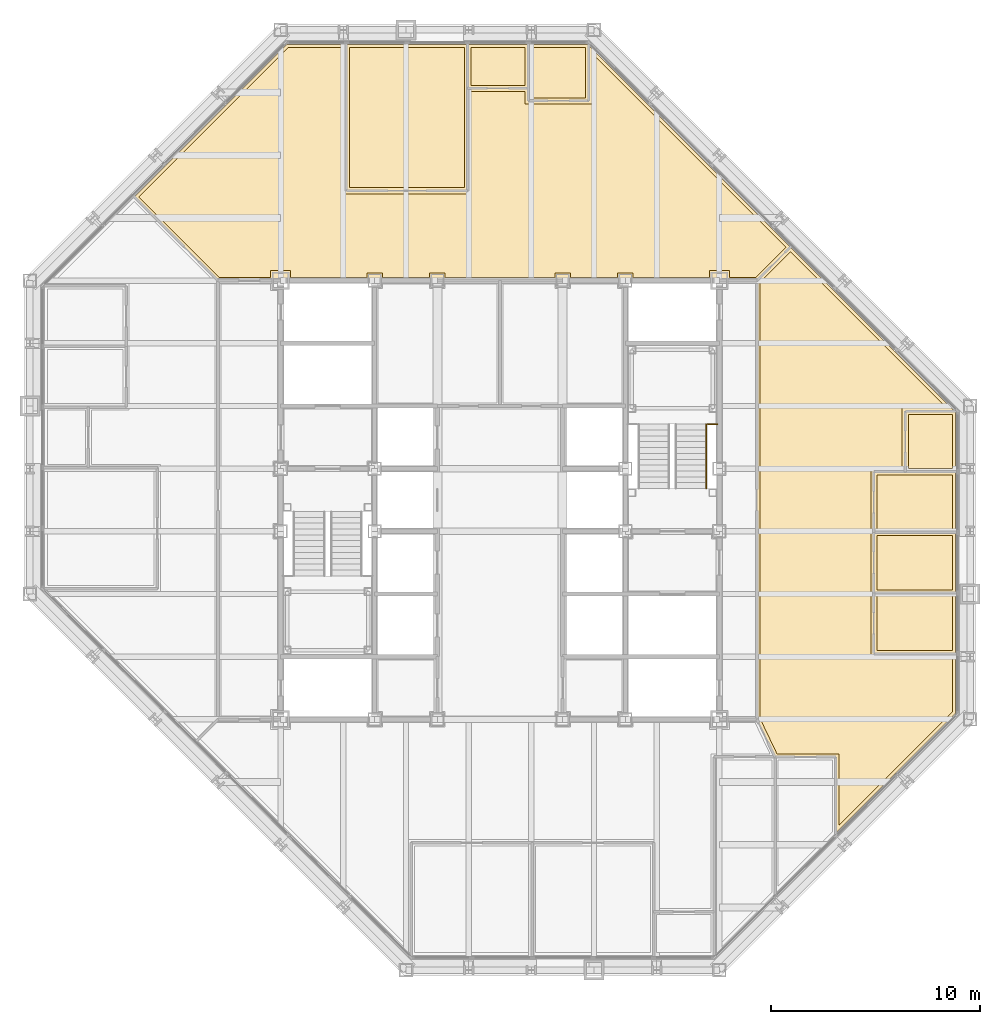
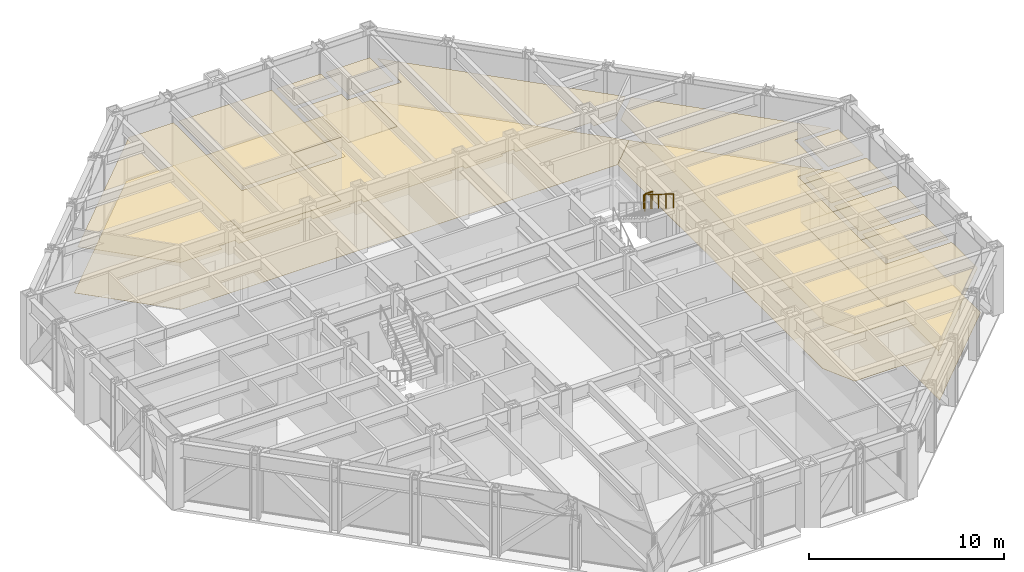
# One storey, part 16 of 16: 18 coverings, 2 railings.
"""IFC4 building model written with IfcOpenShell, lengths in metres."""

from ifc_helpers import new_model, si_unit, direction, frame, origin, origin_2d, place, context, subcontext, project, spatial, polyline, circle, outline, extrude, material, layer, layer_set, type_object, element, save


model = new_model("IFC4")

# Units and contexts
model_context = context("Model", 3, precision=1e-05, world=origin(), true_north=direction((0.0, 1.0)))
body_context = subcontext(model_context, "Body", "Model", "MODEL_VIEW")
ifc_project = project(units=[si_unit("LENGTHUNIT", "METRE"), si_unit("AREAUNIT", "SQUARE_METRE"), si_unit("VOLUMEUNIT", "CUBIC_METRE"), si_unit("PLANEANGLEUNIT", "RADIAN"), si_unit("MASSUNIT", "GRAM", prefix="KILO")], contexts=[model_context])

# Site, building, storey
site_placement = place(None, origin())
site = spatial("IfcSite", under=ifc_project, at=site_placement, CompositionType="ELEMENT")
building_placement = place(site_placement, origin())
building = spatial("IfcBuilding", under=site, at=building_placement, Name="Chuquiago Exchange Tower", CompositionType="ELEMENT")
storey_placement = place(building_placement, frame((0.0, 0.0, 213.89990234375)))
storey = spatial("IfcBuildingStorey", under=building, at=storey_placement, Name="L47", CompositionType="ELEMENT", Elevation=213.89990234375)

# Coverings
ifc_material_1 = material(Name="Mineral fibre tile, 600 x 600, on pale metal grid", Category="mineral fibre")
ifc_layer_1 = layer(ifc_material_1, 0.02001953125)
ifc_layer_set_1 = layer_set([ifc_layer_1], Name="CL1 suspended tile ceiling 20")
covering_type_1 = type_object("IfcCoveringType", Name="CL1 suspended tile ceiling 20", PredefinedType="CEILING", material=ifc_layer_set_1)
covering_1_placement = place(storey_placement, frame((0.0, 0.0, 2.800048828125)))
element("IfcCovering", 1, at=covering_1_placement, inside=storey, type_object=covering_type_1, Name="Ceiling Office", PredefinedType="CEILING", context=body_context, shape_type="SweptSolid", body=[
    extrude(outline(polyline([(40.550048828125, 15.299072265625), (40.550048828125, 17.899658203125), (44.14990234375, 17.899658203125), (44.14990234375, 15.299072265625), (40.550048828125, 15.299072265625)])), origin(), (0.0, 0.0, 1.0), 0.02001953125),
])
covering_2_placement = place(storey_placement, frame((0.0, 0.0, 2.800048828125)))
element("IfcCovering", 2, at=covering_2_placement, inside=storey, type_object=covering_type_1, Name="Ceiling Office", PredefinedType="CEILING", context=body_context, shape_type="SweptSolid", body=[
    extrude(outline(polyline([(40.550048828125, 18.19970703125), (40.550048828125, 20.80029296875), (44.14990234375, 20.80029296875), (44.14990234375, 18.19970703125), (40.550048828125, 18.19970703125)])), origin(), (0.0, 0.0, 1.0), 0.02001953125),
])
covering_3_placement = place(storey_placement, frame((0.0, 0.0, 2.800048828125)))
element("IfcCovering", 3, at=covering_3_placement, inside=storey, type_object=covering_type_1, Name="Ceiling Office", PredefinedType="CEILING", context=body_context, shape_type="SweptSolid", body=[
    extrude(outline(polyline([(40.550048828125, 21.100341796875), (40.550048828125, 23.700927734375), (44.14990234375, 23.700927734375), (44.14990234375, 21.100341796875), (40.550048828125, 21.100341796875)])), origin(), (0.0, 0.0, 1.0), 0.02001953125),
])
covering_4_placement = place(storey_placement, frame((0.0, 0.0, 2.800048828125)))
element("IfcCovering", 4, at=covering_4_placement, inside=storey, type_object=covering_type_1, Name="Ceiling Store", PredefinedType="CEILING", context=body_context, shape_type="SweptSolid", body=[
    extrude(outline(polyline([(44.14990234375, 24.0009765625), (42.050048828125, 24.0009765625), (42.050048828125, 26.6015625), (44.14990234375, 26.6015625), (44.14990234375, 24.0009765625)])), origin(), (0.0, 0.0, 1.0), 0.02001953125),
])
covering_5_placement = place(storey_placement, frame((0.0, 0.0, 2.800048828125)))
element("IfcCovering", 5, at=covering_5_placement, inside=storey, type_object=covering_type_1, Name="Ceiling Media room", PredefinedType="CEILING", context=body_context, shape_type="SweptSolid", body=[
    extrude(outline(polyline([(20.80029296875, 37.449951171875), (15.299072265625, 37.449951171875), (15.299072265625, 44.14990234375), (20.80029296875, 44.14990234375), (20.80029296875, 37.449951171875)])), origin(), (0.0, 0.0, 1.0), 0.02001953125),
])
covering_6_placement = place(storey_placement, frame((0.0, 0.0, 2.800048828125)))
element("IfcCovering", 6, at=covering_6_placement, inside=storey, type_object=covering_type_1, Name="Ceiling Focus room", PredefinedType="CEILING", context=body_context, shape_type="SweptSolid", body=[
    extrude(outline(polyline([(23.700927734375, 42.35009765625), (21.100341796875, 42.35009765625), (21.100341796875, 44.14990234375), (23.700927734375, 44.14990234375), (23.700927734375, 42.35009765625)])), origin(), (0.0, 0.0, 1.0), 0.02001953125),
])
covering_7_placement = place(storey_placement, frame((0.0, 0.0, 2.800048828125)))
element("IfcCovering", 7, at=covering_7_placement, inside=storey, type_object=covering_type_1, Name="Ceiling Pantry", PredefinedType="CEILING", context=body_context, shape_type="SweptSolid", body=[
    extrude(outline(polyline([(26.6015625, 41.75), (24.0009765625, 41.75), (24.0009765625, 44.14990234375), (26.6015625, 44.14990234375), (26.6015625, 41.75)])), origin(), (0.0, 0.0, 1.0), 0.02001953125),
])
covering_8_placement = place(storey_placement, frame((0.0, 0.0, 2.800048828125)))
element("IfcCovering", 8, at=covering_8_placement, inside=storey, type_object=covering_type_1, Name="Ceiling Open office north", PredefinedType="CEILING", context=body_context, shape_type="SweptSolid", body=[
    extrude(outline(polyline([(21.100341796875, 37.14990234375), (21.100341796875, 42.050048828125), (23.700927734375, 42.050048828125), (23.700927734375, 41.449951171875), (26.901611328125, 41.449951171875), (26.901611328125, 43.896484375), (36.192626953125, 34.60546875), (34.7373046875, 33.14990234375), (33.47509765625, 33.14990234375), (33.47509765625, 33.47509765625), (32.52490234375, 33.47509765625), (32.52490234375, 33.14990234375), (28.875, 33.14990234375), (28.875, 33.375), (28.125, 33.375), (28.125, 33.14990234375), (25.875, 33.14990234375), (25.875, 33.375), (25.125, 33.375), (25.125, 33.14990234375), (19.875, 33.14990234375), (19.875, 33.375), (19.125, 33.375), (19.125, 33.14990234375), (16.875, 33.14990234375), (16.875, 33.375), (16.125, 33.375), (16.125, 33.14990234375), (12.47509765625, 33.14990234375), (12.47509765625, 33.47509765625), (11.52490234375, 33.47509765625), (11.52490234375, 33.14990234375), (9.0625, 33.14990234375), (5.20751953125, 37.00537109375), (12.35205078125, 44.14990234375), (14.9990234375, 44.14990234375), (14.9990234375, 37.14990234375), (21.100341796875, 37.14990234375)])), origin(), (0.0, 0.0, 1.0), 0.02001953125),
])
covering_9_placement = place(storey_placement, frame((0.0, 0.0, 2.800048828125)))
element("IfcCovering", 9, at=covering_9_placement, inside=storey, type_object=covering_type_1, Name="Ceiling Open office east", PredefinedType="CEILING", context=body_context, shape_type="SweptSolid", body=[
    extrude(outline(polyline([(41.75, 26.901611328125), (41.75, 24.0009765625), (40.25, 24.0009765625), (40.25, 14.9990234375), (44.14990234375, 14.9990234375), (44.14990234375, 12.35205078125), (38.7255859375, 6.927734375), (38.7255859375, 10.35009765625), (35.758544921875, 10.35009765625), (34.949951171875, 12.03466796875), (34.949951171875, 32.9375), (36.405517578125, 34.392578125), (43.896484375, 26.901611328125), (41.75, 26.901611328125)])), origin(), (0.0, 0.0, 1.0), 0.02001953125),
])
ifc_material_2 = material(Name="Carpet tile, 500 x 500, on the floor slab", Category="textile")
ifc_layer_2 = layer(ifc_material_2, 0.010009765625)
ifc_layer_set_2 = layer_set([ifc_layer_2], Name="FL1 carpet tile 10")
covering_type_2 = type_object("IfcCoveringType", Name="FL1 carpet tile 10", PredefinedType="FLOORING", material=ifc_layer_set_2)
covering_10_placement = place(storey_placement, origin())
element("IfcCovering", 10, at=covering_10_placement, inside=storey, type_object=covering_type_2, Name="Floor finish Office", PredefinedType="FLOORING", context=body_context, shape_type="SweptSolid", body=[
    extrude(outline(polyline([(44.300048828125, 15.149169921875), (40.39990234375, 15.149169921875), (40.39990234375, 18.0498046875), (44.300048828125, 18.0498046875), (44.300048828125, 15.149169921875)])), origin(), (0.0, 0.0, 1.0), 0.010009765625),
])
covering_11_placement = place(storey_placement, origin())
element("IfcCovering", 11, at=covering_11_placement, inside=storey, type_object=covering_type_2, Name="Floor finish Office", PredefinedType="FLOORING", context=body_context, shape_type="SweptSolid", body=[
    extrude(outline(polyline([(44.300048828125, 18.0498046875), (40.39990234375, 18.0498046875), (40.39990234375, 20.9501953125), (44.300048828125, 20.9501953125), (44.300048828125, 18.0498046875)])), origin(), (0.0, 0.0, 1.0), 0.010009765625),
])
covering_12_placement = place(storey_placement, origin())
element("IfcCovering", 12, at=covering_12_placement, inside=storey, type_object=covering_type_2, Name="Floor finish Office", PredefinedType="FLOORING", context=body_context, shape_type="SweptSolid", body=[
    extrude(outline(polyline([(44.300048828125, 20.9501953125), (40.39990234375, 20.9501953125), (40.39990234375, 23.850830078125), (44.300048828125, 23.850830078125), (44.300048828125, 20.9501953125)])), origin(), (0.0, 0.0, 1.0), 0.010009765625),
])
covering_13_placement = place(storey_placement, origin())
element("IfcCovering", 13, at=covering_13_placement, inside=storey, type_object=covering_type_2, Name="Floor finish Media room", PredefinedType="FLOORING", context=body_context, shape_type="SweptSolid", body=[
    extrude(outline(polyline([(20.9501953125, 44.300048828125), (20.9501953125, 37.300048828125), (15.149169921875, 37.300048828125), (15.149169921875, 44.300048828125), (20.9501953125, 44.300048828125)])), origin(), (0.0, 0.0, 1.0), 0.010009765625),
])
covering_14_placement = place(storey_placement, origin())
element("IfcCovering", 14, at=covering_14_placement, inside=storey, type_object=covering_type_2, Name="Floor finish Focus room", PredefinedType="FLOORING", context=body_context, shape_type="SweptSolid", body=[
    extrude(outline(polyline([(23.850830078125, 44.300048828125), (23.850830078125, 42.199951171875), (20.9501953125, 42.199951171875), (20.9501953125, 44.300048828125), (23.850830078125, 44.300048828125)])), origin(), (0.0, 0.0, 1.0), 0.010009765625),
])
covering_15_placement = place(storey_placement, origin())
element("IfcCovering", 15, at=covering_15_placement, inside=storey, type_object=covering_type_2, Name="Floor finish Open office north", PredefinedType="FLOORING", context=body_context, shape_type="SweptSolid", body=[
    extrude(outline(polyline([(15.149169921875, 37.300048828125), (20.9501953125, 37.300048828125), (20.9501953125, 42.199951171875), (23.850830078125, 42.199951171875), (23.850830078125, 41.60009765625), (26.75146484375, 41.60009765625), (26.75146484375, 44.258544921875), (36.40478515625, 34.60546875), (34.799560546875, 33.0), (9.00048828125, 33.0), (4.995361328125, 37.00537109375), (12.289794921875, 44.300048828125), (15.149169921875, 44.300048828125), (15.149169921875, 37.300048828125)])), origin(), (0.0, 0.0, 1.0), 0.010009765625),
])
covering_16_placement = place(storey_placement, origin())
element("IfcCovering", 16, at=covering_16_placement, inside=storey, type_object=covering_type_2, Name="Floor finish Open office east", PredefinedType="FLOORING", context=body_context, shape_type="SweptSolid", body=[
    extrude(outline(polyline([(44.258544921875, 26.75146484375), (41.89990234375, 26.75146484375), (41.89990234375, 23.850830078125), (40.39990234375, 23.850830078125), (40.39990234375, 15.149169921875), (44.300048828125, 15.149169921875), (44.300048828125, 12.289794921875), (38.57568359375, 6.565673828125), (38.57568359375, 10.199951171875), (35.6640625, 10.199951171875), (34.800048828125, 12.00048828125), (34.800048828125, 32.99951171875), (36.405517578125, 34.604736328125), (44.258544921875, 26.75146484375)])), origin(), (0.0, 0.0, 1.0), 0.010009765625),
])
ifc_material_3 = material(Name="Porcelain floor tile, 600 x 600, on adhesive bed", Category="ceramic")
ifc_layer_3 = layer(ifc_material_3, 0.014892578125)
ifc_layer_set_3 = layer_set([ifc_layer_3], Name="FL2 porcelain tile 15")
covering_type_3 = type_object("IfcCoveringType", Name="FL2 porcelain tile 15", PredefinedType="FLOORING", material=ifc_layer_set_3)
covering_17_placement = place(storey_placement, origin())
element("IfcCovering", 17, at=covering_17_placement, inside=storey, type_object=covering_type_3, Name="Floor finish Store", PredefinedType="FLOORING", context=body_context, shape_type="SweptSolid", body=[
    extrude(outline(polyline([(44.300048828125, 26.710205078125), (44.300048828125, 23.850830078125), (41.89990234375, 23.850830078125), (41.89990234375, 26.75146484375), (44.258544921875, 26.75146484375), (44.300048828125, 26.710205078125)])), origin(), (0.0, 0.0, 1.0), 0.01513671875),
])
covering_18_placement = place(storey_placement, origin())
element("IfcCovering", 18, at=covering_18_placement, inside=storey, type_object=covering_type_3, Name="Floor finish Pantry", PredefinedType="FLOORING", context=body_context, shape_type="SweptSolid", body=[
    extrude(outline(polyline([(26.710205078125, 44.300048828125), (26.75146484375, 44.258544921875), (26.75146484375, 41.60009765625), (23.850830078125, 41.60009765625), (23.850830078125, 44.300048828125), (26.710205078125, 44.300048828125)])), origin(), (0.0, 0.0, 1.0), 0.01513671875),
])

# Railings
ifc_material_4 = material(Name="Pale metal guard with safety glass infill", Category="glass")
railing_type_1 = type_object("IfcRailingType", Name="GR1 guard 1100", PredefinedType="GUARDRAIL", material=ifc_material_4)
railing_1_placement = place(storey_placement, frame((32.445068359375, 26.1298828125, 2.10009765625)))
element("IfcRailing", 19, at=railing_1_placement, inside=storey, type_object=railing_type_1, Name="Guard ST2 L47 landing 2", PredefinedType="GUARDRAIL", context=body_context, shape_type="SweptSolid", body=[
    extrude(circle(Radius=0.02392578125, at=origin_2d()), frame((0.0, 0.0, 1.076171875), z_axis=(1.0, 0.0, 0.0), x_axis=(0.0, 1.0, 0.0)), (0.0, 0.0, 1.0), 0.454833984375),
    extrude(circle(Radius=0.02099609375, at=origin_2d()), origin(), (0.0, 0.0, 1.0), 1.052001953125),
    extrude(circle(Radius=0.02099609375, at=origin_2d()), frame((0.454833984375, 0.0, 0.0)), (0.0, 0.0, 1.0), 1.052001953125),
])
ifc_material_5 = material(Name="Pale metal handrail", Category="steel")
railing_type_2 = type_object("IfcRailingType", Name="HR1 handrail 900", PredefinedType="HANDRAIL", material=ifc_material_5)
railing_2_placement = place(storey_placement, frame((32.364990234375, 26.1298828125, 2.275146484375)))
element("IfcRailing", 20, at=railing_2_placement, inside=storey, type_object=railing_type_2, Name="Handrail ST2 L47 flight 2", PredefinedType="HANDRAIL", context=body_context, shape_type="SweptSolid", body=[
    extrude(circle(Radius=0.02392578125, at=origin_2d()), frame((0.0, 0.0, 0.8759765625), z_axis=(0.0, -0.847979421464, 0.530029150871), x_axis=(1.0, 0.0, 0.0)), (0.0, 0.0, 1.0), 3.632080078125),
    extrude(circle(Radius=0.02099609375, at=origin_2d()), origin(), (0.0, 0.0, 1.0), 0.851806640625),
    extrude(circle(Radius=0.02099609375, at=origin_2d()), frame((0.0, -0.77001953125, 0.481201171875)), (0.0, 0.0, 1.0), 0.851806640625),
    extrude(circle(Radius=0.02099609375, at=origin_2d()), frame((0.0, -1.5400390625, 0.96240234375)), (0.0, 0.0, 1.0), 0.851806640625),
    extrude(circle(Radius=0.02099609375, at=origin_2d()), frame((0.0, -2.309814453125, 1.44384765625)), (0.0, 0.0, 1.0), 0.851806640625),
    extrude(circle(Radius=0.02099609375, at=origin_2d()), frame((0.0, -3.079833984375, 1.925048828125)), (0.0, 0.0, 1.0), 0.851806640625),
])

save(model, "model.ifc")
